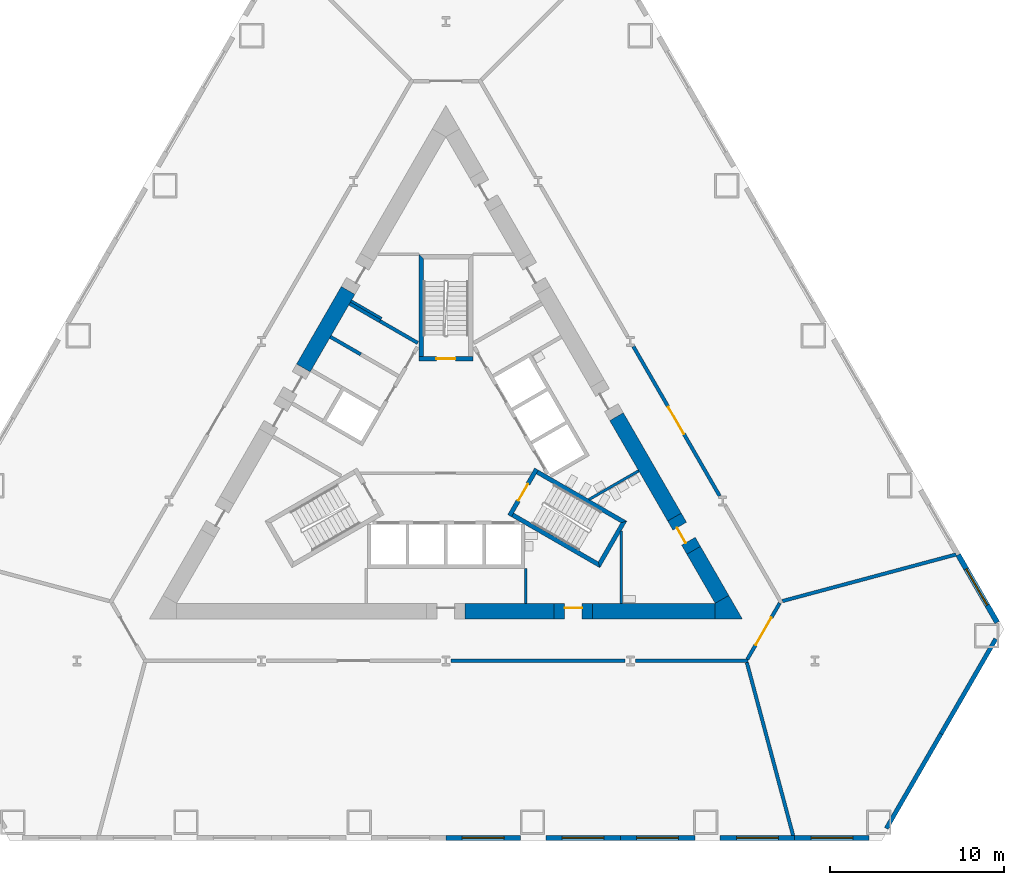
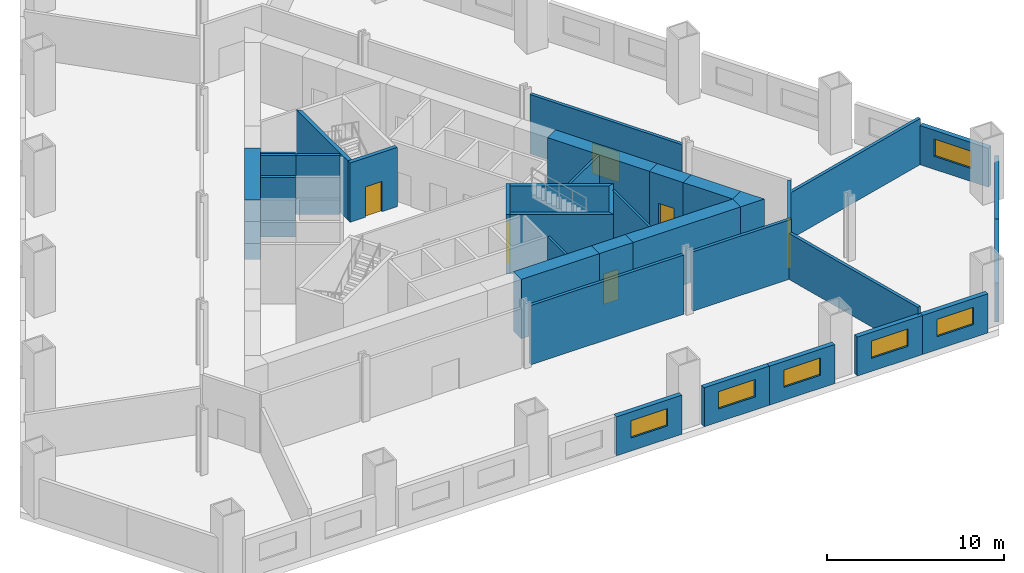
# One storey, part 3 of 8: 35 walls, 6 doors, 6 windows, 12 openings.
"""IFC4 building model written with IfcOpenShell, lengths in metres."""

from ifc_helpers import new_model, si_unit, direction, frame, frame_2d, origin, place, context, subcontext, project, spatial, polyline, rectangle, outline, extrude, material, layer, layer_set, type_object, element, fill, save


model = new_model("IFC4")

# Units and contexts
model_context = context("Model", 3, precision=1e-05, world=origin(), true_north=direction((0.0, 1.0)))
body_context = subcontext(model_context, "Body", "Model", "MODEL_VIEW")
ifc_project = project(units=[si_unit("LENGTHUNIT", "METRE"), si_unit("AREAUNIT", "SQUARE_METRE"), si_unit("VOLUMEUNIT", "CUBIC_METRE"), si_unit("PLANEANGLEUNIT", "RADIAN"), si_unit("MASSUNIT", "GRAM", prefix="KILO")], contexts=[model_context])

# Site, building, storey
site_placement = place(None, origin())
site = spatial("IfcSite", under=ifc_project, at=site_placement, CompositionType="ELEMENT")
building_placement = place(site_placement, origin())
building = spatial("IfcBuilding", under=site, at=building_placement, Name="Cormorant Prow Tower", CompositionType="ELEMENT")
storey_placement = place(building_placement, frame((0.0, 0.0, 25.5)))
storey = spatial("IfcBuildingStorey", under=building, at=storey_placement, Name="L04", CompositionType="ELEMENT", Elevation=25.5)

# Walls
ifc_material_1 = material(Name="Gypsum board partition")
ifc_layer_1 = layer(ifc_material_1, 0.14990234375)
ifc_layer_set_1 = layer_set([ifc_layer_1], Name="Gypsum board partition")
wall_type_1 = type_object("IfcWallType", Name="Core partition 150", PredefinedType="PARTITIONING", material=ifc_layer_set_1)
wall_1_placement = place(storey_placement, frame((4.574951171875, -6.906005859375, 0.0), z_axis=(0.0, 0.0, 1.0), x_axis=(0.0, -1.0, 0.0)))
element("IfcWall", 1, at=wall_1_placement, inside=storey, type_object=wall_type_1, Name="Service room partition", PredefinedType="PARTITIONING", context=body_context, shape_type="SweptSolid", body=[
    extrude(rectangle(XDim=2.009033203125, YDim=0.14990234375, at=frame_2d((1.00439453125, 0.0))), origin(), (0.0, 0.0, 1.0), 4.10009765625),
])
wall_2_placement = place(storey_placement, frame((-3.693359375, 7.4150390625, 0.0), z_axis=(0.0, 0.0, 1.0), x_axis=(-0.866035824272, 0.499981950752, 0.0)))
element("IfcWall", 2, at=wall_2_placement, inside=storey, type_object=wall_type_1, Name="Service room partition", PredefinedType="PARTITIONING", context=body_context, shape_type="SweptSolid", body=[
    extrude(rectangle(XDim=2.0087890625, YDim=0.14990234375, at=frame_2d((1.00439453125, 0.0))), origin(), (0.0, 0.0, 1.0), 4.10009765625),
])
wall_3_placement = place(storey_placement, frame((11.055908203125, -1.319580078125, 0.0), z_axis=(0.0, 0.0, 1.0), x_axis=(-0.866038565219, -0.499977203034, 0.0)))
element("IfcWall", 3, at=wall_3_placement, inside=storey, type_object=wall_type_1, Name="Service room partition", PredefinedType="PARTITIONING", context=body_context, shape_type="SweptSolid", body=[
    extrude(rectangle(XDim=3.290771484375, YDim=0.14990234375, at=frame_2d((1.6455078125, 0.0))), origin(), (0.0, 0.0, 1.0), 4.10009765625),
])
wall_4_placement = place(storey_placement, frame((10.045654296875, -8.9150390625, 0.0), z_axis=(0.0, 0.0, 1.0), x_axis=(0.0, 1.0, 0.0)))
element("IfcWall", 4, at=wall_4_placement, inside=storey, type_object=wall_type_1, Name="Service room partition", PredefinedType="PARTITIONING", context=body_context, shape_type="SweptSolid", body=[
    extrude(rectangle(XDim=4.15087890625, YDim=0.14990234375, at=frame_2d((2.075439453125, 0.0))), origin(), (0.0, 0.0, 1.0), 4.10009765625),
])
ifc_material_2 = material(Name="Concrete 8000 psi", Category="concrete")
ifc_layer_2 = layer(ifc_material_2, 0.89990234375)
ifc_layer_set_2 = layer_set([ifc_layer_2], Name="Concrete 8000 psi")
wall_type_2 = type_object("IfcWallType", Name="Core shear wall 900", PredefinedType="SHEAR", material=ifc_layer_set_2)
wall_5_placement = place(storey_placement, frame((8.410400390625, -9.364990234375, 0.0), z_axis=(0.0, 0.0, 1.0), x_axis=(1.0, 0.0, 0.0)))
element("IfcWall", 5, at=wall_5_placement, inside=storey, type_object=wall_type_2, Name="Core wall", PredefinedType="SHEAR", context=body_context, shape_type="SweptSolid", body=[
    extrude(rectangle(XDim=7.03076171875, YDim=0.89990234375, at=frame_2d((3.515380859375, 0.0))), origin(), (0.0, 0.0, 1.0), 4.10009765625),
])
wall_6_placement = place(storey_placement, frame((1.10009765625, -9.364990234375, 0.0), z_axis=(0.0, 0.0, 1.0), x_axis=(1.0, 0.0, 0.0)))
element("IfcWall", 6, at=wall_6_placement, inside=storey, type_object=wall_type_2, Name="Core wall", PredefinedType="SHEAR", context=body_context, shape_type="SweptSolid", body=[
    extrude(rectangle(XDim=5.110107421875, YDim=0.89990234375, at=frame_2d((2.55517578125, 0.0))), origin(), (0.0, 0.0, 1.0), 4.10009765625),
])
wall_7_placement = place(storey_placement, frame((13.10693359375, -3.97216796875, 0.0), z_axis=(0.0, 0.0, 1.0), x_axis=(-0.49998745675, 0.866032645512, 0.0)))
element("IfcWall", 7, at=wall_7_placement, inside=storey, type_object=wall_type_2, Name="Core wall", PredefinedType="SHEAR", context=body_context, shape_type="SweptSolid", body=[
    extrude(rectangle(XDim=6.645751953125, YDim=0.89990234375, at=frame_2d((3.32275390625, 0.0))), origin(), (0.0, 0.0, 1.0), 4.10009765625),
])
wall_8_placement = place(storey_placement, frame((15.830810546875, -8.68994140625, 0.0), z_axis=(0.0, 0.0, 1.0), x_axis=(-0.499963215419, 0.866046640331, 0.0)))
element("IfcWall", 8, at=wall_8_placement, inside=storey, type_object=wall_type_2, Name="Core wall", PredefinedType="SHEAR", context=body_context, shape_type="SweptSolid", body=[
    extrude(rectangle(XDim=3.247802734375, YDim=0.89990234375, at=frame_2d((1.6240234375, 0.0))), origin(), (0.0, 0.0, 1.0), 4.10009765625),
])
wall_9_placement = place(storey_placement, frame((-5.605712890625, 9.0205078125, 0.0), z_axis=(0.0, 0.0, 1.0), x_axis=(-0.500024603663, -0.866011198387, 0.0)))
element("IfcWall", 9, at=wall_9_placement, inside=storey, type_object=wall_type_2, Name="Core wall", PredefinedType="SHEAR", context=body_context, shape_type="SweptSolid", body=[
    extrude(rectangle(XDim=5.129150390625, YDim=0.89990234375, at=frame_2d((2.564453125, 0.0))), origin(), (0.0, 0.0, 1.0), 4.10009765625),
])
wall_10_placement = place(storey_placement, origin())
element("IfcWall", 10, at=wall_10_placement, inside=storey, type_object=wall_type_2, Name="Core wall corner", PredefinedType="SHEAR", context=body_context, shape_type="SweptSolid", body=[
    extrude(outline(polyline([(15.441162109375, -9.81494140625), (15.441162109375, -8.9150390625), (16.220703125, -8.465087890625), (17.0, -9.81494140625), (15.441162109375, -9.81494140625)])), origin(), (0.0, 0.0, 1.0), 4.10009765625),
])

# Wall, opening, door
wall_11_placement = place(storey_placement, frame((6.210205078125, -9.364990234375, 0.0), z_axis=(0.0, 0.0, 1.0), x_axis=(1.0, 0.0, 0.0)))
wall_11 = element("IfcWall", 11, at=wall_11_placement, inside=storey, type_object=wall_type_2, Name="Core wall door panel", PredefinedType="SHEAR", context=body_context, shape_type="SweptSolid", body=[
    extrude(rectangle(XDim=2.2001953125, YDim=0.89990234375, at=frame_2d((1.10009765625, 0.0))), origin(), (0.0, 0.0, 1.0), 4.10009765625),
])
opening_1_placement = place(wall_11_placement, frame((0.60009765625, 0.0, 0.0)))
opening_1 = element("IfcOpeningElement", 12, at=opening_1_placement, cuts=wall_11, Name="Opening L04-C16", PredefinedType="OPENING", context=body_context, shape_type="SweptSolid", body=[
    extrude(rectangle(XDim=1.0, YDim=2.10009765625, at=frame_2d((0.5, 1.050048828125))), frame((0.0, 0.4599609375, 0.0), z_axis=(0.0, -1.0, 0.0), x_axis=(1.0, 0.0, 0.0)), (0.0, 0.0, 1.0), 0.919921875),
])
ifc_material_3 = material(Name="Painted steel", Category="steel")
door_type_1 = type_object("IfcDoorType", Name="Service door 1000x2100", OperationType="NOTDEFINED", PredefinedType="DOOR", material=ifc_material_3)
door_1_placement = place(opening_1_placement, origin())
door_1 = element("IfcDoor", 13, at=door_1_placement, inside=storey, type_object=door_type_1, Name="Core door, Accessible WC L04", OperationType="SINGLE_SWING_LEFT", OverallHeight=2.10009765625, OverallWidth=1.0, PredefinedType="DOOR", context=body_context, shape_type="SweptSolid", body=[
    extrude(rectangle(XDim=1.0, YDim=2.10009765625, at=frame_2d((0.5, 1.050048828125))), frame((0.0, 0.205078125, 0.0), z_axis=(0.0, -1.0, 0.0), x_axis=(1.0, 0.0, 0.0)), (0.0, 0.0, 1.0), 0.050048828125),
])
fill(opening_1, door_1)

wall_12_placement = place(storey_placement, frame((14.20703125, -5.877197265625, 0.0), z_axis=(0.0, 0.0, 1.0), x_axis=(-0.500077893725, 0.86598042715, 0.0)))
wall_12 = element("IfcWall", 14, at=wall_12_placement, inside=storey, type_object=wall_type_2, Name="Core wall door panel", PredefinedType="SHEAR", context=body_context, shape_type="SweptSolid", body=[
    extrude(rectangle(XDim=2.199951171875, YDim=0.89990234375, at=frame_2d((1.10009765625, 0.0))), origin(), (0.0, 0.0, 1.0), 4.10009765625),
])
opening_2_placement = place(wall_12_placement, frame((0.60009765625, 0.0, 0.0)))
opening_2 = element("IfcOpeningElement", 15, at=opening_2_placement, cuts=wall_12, Name="Opening L04-C17", PredefinedType="OPENING", context=body_context, shape_type="SweptSolid", body=[
    extrude(rectangle(XDim=1.0, YDim=2.10009765625, at=frame_2d((0.5, 1.050048828125))), frame((0.0, 0.4599609375, 0.0), z_axis=(0.0, -1.0, 0.0), x_axis=(1.0, 0.0, 0.0)), (0.0, 0.0, 1.0), 0.919921875),
])
door_2_placement = place(opening_2_placement, origin())
door_2 = element("IfcDoor", 16, at=door_2_placement, inside=storey, type_object=door_type_1, Name="Core door, Toilets (women) L04", OperationType="SINGLE_SWING_LEFT", OverallHeight=2.10009765625, OverallWidth=1.0, PredefinedType="DOOR", context=body_context, shape_type="SweptSolid", body=[
    extrude(rectangle(XDim=1.0, YDim=2.10009765625, at=frame_2d((0.5, 1.050048828125))), frame((0.0, 0.205078125, 0.0), z_axis=(0.0, -1.0, 0.0), x_axis=(1.0, 0.0, 0.0)), (0.0, 0.0, 1.0), 0.050048828125),
])
fill(opening_2, door_2)

# Wall
ifc_material_4 = material(Name="Gypsum board corridor wall")
ifc_layer_3 = layer(ifc_material_4, 0.199951171875)
ifc_layer_set_3 = layer_set([ifc_layer_3], Name="Gypsum board corridor wall")
wall_type_3 = type_object("IfcWallType", Name="Corridor wall 200", PredefinedType="PARTITIONING", material=ifc_layer_set_3)
wall_13_placement = place(storey_placement, frame((0.294921875, -12.215087890625, 0.0), z_axis=(0.0, 0.0, 1.0), x_axis=(1.0, 0.0, 0.0)))
element("IfcWall", 17, at=wall_13_placement, inside=storey, type_object=wall_type_3, Name="Corridor wall", PredefinedType="PARTITIONING", context=body_context, shape_type="SweptSolid", body=[
    extrude(rectangle(XDim=9.98876953125, YDim=0.199951171875, at=frame_2d((4.994384765625, 0.0))), origin(), (0.0, 0.0, 1.0), 4.10009765625),
])

# Wall, opening, door
wall_14_placement = place(storey_placement, frame((10.74853515625, 5.812744140625, 0.0), z_axis=(0.0, 0.0, 1.0), x_axis=(0.500004292778, -0.866022925334, 0.0)))
wall_14 = element("IfcWall", 18, at=wall_14_placement, inside=storey, type_object=wall_type_3, Name="Corridor wall", PredefinedType="PARTITIONING", context=body_context, shape_type="SweptSolid", body=[
    extrude(rectangle(XDim=9.89794921875, YDim=0.199951171875, at=frame_2d((4.948974609375, 0.0))), origin(), (0.0, 0.0, 1.0), 4.10009765625),
])
opening_3_placement = place(wall_14_placement, frame((3.998291015625, 0.0, 0.0)))
opening_3 = element("IfcOpeningElement", 19, at=opening_3_placement, cuts=wall_14, Name="Opening L04-F04", PredefinedType="OPENING", context=body_context, shape_type="SweptSolid", body=[
    extrude(rectangle(XDim=1.800048828125, YDim=2.10009765625, at=frame_2d((0.89990234375, 1.050048828125))), frame((0.0, 0.10986328125, 0.0), z_axis=(0.0, -1.0, 0.0), x_axis=(1.0, 0.0, 0.0)), (0.0, 0.0, 1.0), 0.219970703125),
])
ifc_material_5 = material(Name="Timber door leaf", Category="wood")
door_type_2 = type_object("IfcDoorType", Name="Double door 1800x2100", OperationType="DOUBLE_DOOR_SINGLE_SWING", PredefinedType="DOOR", material=ifc_material_5)
door_3_placement = place(opening_3_placement, origin())
door_3 = element("IfcDoor", 20, at=door_3_placement, inside=storey, type_object=door_type_2, Name="Business club office door", OperationType="DOUBLE_DOOR_SINGLE_SWING", OverallHeight=2.10009765625, OverallWidth=1.800048828125, PredefinedType="DOOR", context=body_context, shape_type="SweptSolid", body=[
    extrude(rectangle(XDim=1.800048828125, YDim=2.10009765625, at=frame_2d((0.89990234375, 1.050048828125))), frame((0.0, 0.02490234375, 0.0), z_axis=(0.0, -1.0, 0.0), x_axis=(1.0, 0.0, 0.0)), (0.0, 0.0, 1.0), 0.050048828125),
])
fill(opening_3, door_3)

# Wall
wall_15_placement = place(storey_placement, frame((10.873291015625, -12.215087890625, 0.0), z_axis=(0.0, 0.0, 1.0), x_axis=(1.0, 0.0, 0.0)))
element("IfcWall", 21, at=wall_15_placement, inside=storey, type_object=wall_type_3, Name="Corridor wall", PredefinedType="PARTITIONING", context=body_context, shape_type="SweptSolid", body=[
    extrude(rectangle(XDim=6.45751953125, YDim=0.199951171875, at=frame_2d((3.228759765625, 0.0))), origin(), (0.0, 0.0, 1.0), 4.10009765625),
])

# Wall, opening, door
wall_16_placement = place(storey_placement, frame((17.281005859375, -12.12841796875, 0.0), z_axis=(0.0, 0.0, 1.0), x_axis=(0.499958791762, 0.866049194065, 0.0)))
wall_16 = element("IfcWall", 22, at=wall_16_placement, inside=storey, type_object=wall_type_3, Name="Corridor wall", PredefinedType="PARTITIONING", context=body_context, shape_type="SweptSolid", body=[
    extrude(rectangle(XDim=3.725830078125, YDim=0.199951171875, at=frame_2d((1.86279296875, 0.0))), origin(), (0.0, 0.0, 1.0), 4.10009765625),
])
opening_4_placement = place(wall_16_placement, frame((0.962890625, 0.0, 0.0)))
opening_4 = element("IfcOpeningElement", 23, at=opening_4_placement, cuts=wall_16, Name="Opening L04-F05", PredefinedType="OPENING", context=body_context, shape_type="SweptSolid", body=[
    extrude(rectangle(XDim=1.800048828125, YDim=2.10009765625, at=frame_2d((0.89990234375, 1.050048828125))), frame((0.0, 0.10986328125, 0.0), z_axis=(0.0, -1.0, 0.0), x_axis=(1.0, 0.0, 0.0)), (0.0, 0.0, 1.0), 0.219970703125),
])
door_4_placement = place(opening_4_placement, origin())
door_4 = element("IfcDoor", 24, at=door_4_placement, inside=storey, type_object=door_type_2, Name="Club restaurant door", OperationType="DOUBLE_DOOR_SINGLE_SWING", OverallHeight=2.10009765625, OverallWidth=1.800048828125, PredefinedType="DOOR", context=body_context, shape_type="SweptSolid", body=[
    extrude(rectangle(XDim=1.800048828125, YDim=2.10009765625, at=frame_2d((0.89990234375, 1.050048828125))), frame((0.0, 0.02490234375, 0.0), z_axis=(0.0, -1.0, 0.0), x_axis=(1.0, 0.0, 0.0)), (0.0, 0.0, 1.0), 0.050048828125),
])
fill(opening_4, door_4)

# Walls
ifc_material_6 = material(Name="Gypsum board demising wall")
ifc_layer_4 = layer(ifc_material_6, 0.199951171875)
ifc_layer_set_4 = layer_set([ifc_layer_4], Name="Gypsum board demising wall")
wall_type_4 = type_object("IfcWallType", Name="Demising wall 200", PredefinedType="PARTITIONING", material=ifc_layer_set_4)
for number, where, z_axis, x_axis, name in (
    (25, (19.29052734375, -8.7890625, 0.0), (0.0, 0.0, 1.0), (0.965818413341, 0.259219583464, 0.0), "Demising wall"),
    (26, (17.256591796875, -12.3115234375, 0.0), (0.0, 0.0, 1.0), (0.258415425443, -0.966033885479, 0.0), "Demising wall"),
):
    element("IfcWall", number, at=place(storey_placement, frame(where, z_axis=z_axis, x_axis=x_axis)), inside=storey, type_object=wall_type_4, Name=name, PredefinedType="PARTITIONING", context=body_context, shape_type="SweptSolid", body=[
        extrude(rectangle(XDim=10.31396484375, YDim=0.199951171875, at=frame_2d((5.156982421875, 0.0))), origin(), (0.0, 0.0, 1.0), 3.185302734375),
    ])
ifc_material_7 = material(Name="Concrete 8000 psi", Category="concrete")
ifc_layer_5 = layer(ifc_material_7, 0.199951171875)
ifc_layer_set_5 = layer_set([ifc_layer_5], Name="Concrete 8000 psi")
wall_type_5 = type_object("IfcWallType", Name="Lift shaft wall 200", PredefinedType="SHEAR", material=ifc_layer_set_5)
wall_17_placement = place(storey_placement, origin())
element("IfcWall", 27, at=wall_17_placement, inside=storey, type_object=wall_type_5, Name="Lift shaft walls, WNW block", PredefinedType="SHEAR", context=body_context, shape_type="SweptSolid", body=[
    extrude(outline(polyline([(-3.730712890625, 7.35009765625), (-1.560546875, 6.09716796875), (-1.660400390625, 5.923828125), (-3.830810546875, 7.177001953125), (-3.730712890625, 7.35009765625)])), origin(), (0.0, 0.0, 1.0), 4.10009765625),
])
wall_18_placement = place(storey_placement, frame((-3.78076171875, 7.263427734375, 0.0), z_axis=(0.0, 0.0, 1.0), x_axis=(-0.865983199114, 0.50007309351, 0.0)))
element("IfcWall", 28, at=wall_18_placement, inside=storey, type_object=wall_type_5, Name="Store side wall", PredefinedType="SHEAR", context=body_context, shape_type="SweptSolid", body=[
    extrude(rectangle(XDim=2.009033203125, YDim=0.199951171875, at=frame_2d((1.00439453125, 0.0))), origin(), (0.0, 0.0, 1.0), 4.10009765625),
])
wall_19_placement = place(storey_placement, frame((-4.880859375, 5.3583984375, 0.0), z_axis=(0.0, 0.0, 1.0), x_axis=(-0.866035824272, 0.499981950752, 0.0)))
element("IfcWall", 29, at=wall_19_placement, inside=storey, type_object=wall_type_5, Name="Store side wall", PredefinedType="SHEAR", context=body_context, shape_type="SweptSolid", body=[
    extrude(rectangle(XDim=2.0087890625, YDim=0.199951171875, at=frame_2d((1.00439453125, 0.0))), origin(), (0.0, 0.0, 1.0), 4.10009765625),
])
ifc_material_8 = material(Name="Concrete 8000 psi", Category="concrete")
ifc_layer_6 = layer(ifc_material_8, 0.25)
ifc_layer_set_6 = layer_set([ifc_layer_6], Name="Concrete 8000 psi")
wall_type_6 = type_object("IfcWallType", Name="Stair wall 250", PredefinedType="SHEAR", material=ifc_layer_set_6)
wall_20_placement = place(storey_placement, origin())
element("IfcWall", 30, at=wall_20_placement, inside=storey, type_object=wall_type_6, Name="Stair ST2 enclosure wall (flank)", PredefinedType="SHEAR", context=body_context, shape_type="SweptSolid", body=[
    extrude(outline(polyline([(3.76318359375, -3.95556640625), (8.82958984375, -6.880615234375), (8.738037109375, -6.5390625), (3.88818359375, -3.739013671875), (3.76318359375, -3.95556640625)])), origin(), (0.0, 0.0, 1.0), 4.10009765625),
])
wall_21_placement = place(storey_placement, origin())
element("IfcWall", 31, at=wall_21_placement, inside=storey, type_object=wall_type_6, Name="Stair ST2 enclosure wall (end)", PredefinedType="SHEAR", context=body_context, shape_type="SweptSolid", body=[
    extrude(outline(polyline([(8.82958984375, -6.880615234375), (10.37353515625, -4.206298828125), (10.031982421875, -4.2978515625), (8.738037109375, -6.5390625), (8.82958984375, -6.880615234375)])), origin(), (0.0, 0.0, 1.0), 4.10009765625),
])
wall_22_placement = place(storey_placement, origin())
element("IfcWall", 32, at=wall_22_placement, inside=storey, type_object=wall_type_6, Name="Stair ST2 enclosure wall (flank)", PredefinedType="SHEAR", context=body_context, shape_type="SweptSolid", body=[
    extrude(outline(polyline([(10.031982421875, -4.2978515625), (10.37353515625, -4.206298828125), (5.30712890625, -1.28125), (5.18212890625, -1.497802734375), (10.031982421875, -4.2978515625)])), origin(), (0.0, 0.0, 1.0), 4.10009765625),
])

# Wall, opening, door
wall_23_placement = place(storey_placement, frame((3.655029296875, -3.89306640625, 0.0), z_axis=(0.0, 0.0, 1.0), x_axis=(0.499982516597, 0.866035497597, 0.0)))
wall_23 = element("IfcWall", 33, at=wall_23_placement, inside=storey, type_object=wall_type_6, Name="Stair ST2 door wall", PredefinedType="SHEAR", context=body_context, shape_type="SweptSolid", body=[
    extrude(rectangle(XDim=3.087890625, YDim=0.25, at=frame_2d((1.5439453125, 0.0))), origin(), (0.0, 0.0, 1.0), 4.10009765625),
])
opening_5_placement = place(wall_23_placement, frame((0.993896484375, 0.0, 0.0)))
opening_5 = element("IfcOpeningElement", 34, at=opening_5_placement, cuts=wall_23, Name="Opening L04-C13", PredefinedType="OPENING", context=body_context, shape_type="SweptSolid", body=[
    extrude(rectangle(XDim=1.10009765625, YDim=2.10009765625, at=frame_2d((0.550048828125, 1.050048828125))), frame((0.0, 0.135009765625, 0.0), z_axis=(0.0, -1.0, 0.0), x_axis=(1.0, 0.0, 0.0)), (0.0, 0.0, 1.0), 0.27001953125),
])
ifc_material_9 = material(Name="Painted steel", Category="steel")
door_type_3 = type_object("IfcDoorType", Name="Stair door 1100x2100", OperationType="NOTDEFINED", PredefinedType="DOOR", material=ifc_material_9)
door_5_placement = place(opening_5_placement, origin())
door_5 = element("IfcDoor", 35, at=door_5_placement, inside=storey, type_object=door_type_3, Name="Stair ST2 door", OperationType="SINGLE_SWING_RIGHT", OverallHeight=2.10009765625, OverallWidth=1.10009765625, PredefinedType="DOOR", context=body_context, shape_type="SweptSolid", body=[
    extrude(rectangle(XDim=1.10009765625, YDim=2.10009765625, at=frame_2d((0.550048828125, 1.050048828125))), frame((0.0, 0.02490234375, 0.0), z_axis=(0.0, -1.0, 0.0), x_axis=(1.0, 0.0, 0.0)), (0.0, 0.0, 1.0), 0.050048828125),
])
fill(opening_5, door_5)

# Wall
wall_24_placement = place(storey_placement, origin())
element("IfcWall", 36, at=wall_24_placement, inside=storey, type_object=wall_type_6, Name="Stair ST3 enclosure wall (flank)", PredefinedType="SHEAR", context=body_context, shape_type="SweptSolid", body=[
    extrude(outline(polyline([(-1.2939453125, 10.8369140625), (-1.5439453125, 11.0869140625), (-1.5439453125, 5.23681640625), (-1.2939453125, 5.23681640625), (-1.2939453125, 10.8369140625)])), origin(), (0.0, 0.0, 1.0), 4.10009765625),
])

# Wall, opening, door
wall_25_placement = place(storey_placement, frame((1.5439453125, 5.11181640625, 0.0), z_axis=(0.0, 0.0, 1.0), x_axis=(-1.0, 0.0, 0.0)))
wall_25 = element("IfcWall", 37, at=wall_25_placement, inside=storey, type_object=wall_type_6, Name="Stair ST3 door wall", PredefinedType="SHEAR", context=body_context, shape_type="SweptSolid", body=[
    extrude(rectangle(XDim=3.087890625, YDim=0.25, at=frame_2d((1.5439453125, 0.0))), origin(), (0.0, 0.0, 1.0), 4.10009765625),
])
opening_6_placement = place(wall_25_placement, frame((0.993896484375, 0.0, 0.0)))
opening_6 = element("IfcOpeningElement", 38, at=opening_6_placement, cuts=wall_25, Name="Opening L04-C14", PredefinedType="OPENING", context=body_context, shape_type="SweptSolid", body=[
    extrude(rectangle(XDim=1.10009765625, YDim=2.10009765625, at=frame_2d((0.550048828125, 1.050048828125))), frame((0.0, 0.135009765625, 0.0), z_axis=(0.0, -1.0, 0.0), x_axis=(1.0, 0.0, 0.0)), (0.0, 0.0, 1.0), 0.27001953125),
])
door_6_placement = place(opening_6_placement, origin())
door_6 = element("IfcDoor", 39, at=door_6_placement, inside=storey, type_object=door_type_3, Name="Stair ST3 door", OperationType="SINGLE_SWING_LEFT", OverallHeight=2.10009765625, OverallWidth=1.10009765625, PredefinedType="DOOR", context=body_context, shape_type="SweptSolid", body=[
    extrude(rectangle(XDim=1.10009765625, YDim=2.10009765625, at=frame_2d((0.550048828125, 1.050048828125))), frame((0.0, 0.02490234375, 0.0), z_axis=(0.0, -1.0, 0.0), x_axis=(1.0, 0.0, 0.0)), (0.0, 0.0, 1.0), 0.050048828125),
])
fill(opening_6, door_6)

# Walls
ifc_material_10 = material(Name="Terracotta", Category="masonry")
ifc_layer_7 = layer(ifc_material_10, 0.25)
ifc_layer_set_7 = layer_set([ifc_layer_7], Name="Terracotta")
wall_type_7 = type_object("IfcWallType", Name="Terracotta bay wall 250", PredefinedType="SOLIDWALL", material=ifc_layer_set_7)
wall_26_placement = place(storey_placement, frame((25.2568359375, -21.822021484375, 0.0), z_axis=(0.0, 0.0, 1.0), x_axis=(0.5000044583, 0.866022829768, 0.0)))
element("IfcWall", 40, at=wall_26_placement, inside=storey, type_object=wall_type_7, Name="Terracotta bay wall ESE00", PredefinedType="SOLIDWALL", context=body_context, shape_type="SweptSolid", body=[
    extrude(rectangle(XDim=6.27001953125, YDim=0.25, at=frame_2d((3.135009765625, 0.0))), origin(), (0.0, 0.0, 1.0), 2.699951171875),
])
wall_27_placement = place(storey_placement, frame((28.391845703125, -16.39208984375, 0.0), z_axis=(0.0, 0.0, 1.0), x_axis=(0.499987597971, 0.866032563981, 0.0)))
element("IfcWall", 41, at=wall_27_placement, inside=storey, type_object=wall_type_7, Name="Terracotta bay wall ESE01", PredefinedType="SOLIDWALL", context=body_context, shape_type="SweptSolid", body=[
    extrude(rectangle(XDim=6.270263671875, YDim=0.25, at=frame_2d((3.13525390625, 0.0))), origin(), (0.0, 0.0, 1.0), 2.699951171875),
])

# Wall, opening, window
ifc_material_11 = material(Name="Terracotta", Category="masonry")
ifc_layer_8 = layer(ifc_material_11, 0.300048828125)
ifc_layer_set_8 = layer_set([ifc_layer_8], Name="Terracotta")
wall_type_8 = type_object("IfcWallType", Name="Terracotta podium cladding wall 300", PredefinedType="SOLIDWALL", material=ifc_layer_set_8)
wall_28_placement = place(storey_placement, frame((0.0, -22.36669921875, 0.0), z_axis=(0.0, 0.0, 1.0), x_axis=(1.0, 0.0, 0.0)))
wall_28 = element("IfcWall", 42, at=wall_28_placement, inside=storey, type_object=wall_type_8, Name="Terracotta podium wall S05", PredefinedType="SOLIDWALL", context=body_context, shape_type="SweptSolid", body=[
    extrude(rectangle(XDim=4.27001953125, YDim=0.300048828125, at=frame_2d((2.135009765625, 0.0))), origin(), (0.0, 0.0, 1.0), 2.699951171875),
])
opening_7_placement = place(wall_28_placement, frame((0.93505859375, 0.0, 0.89990234375)))
opening_7 = element("IfcOpeningElement", 43, at=opening_7_placement, cuts=wall_28, Name="Opening WN23", PredefinedType="OPENING", context=body_context, shape_type="SweptSolid", body=[
    extrude(rectangle(XDim=2.39990234375, YDim=1.199951171875, at=frame_2d((1.199951171875, 0.60009765625))), frame((0.0, 0.159912109375, 0.0), z_axis=(0.0, -1.0, 0.0), x_axis=(1.0, 0.0, 0.0)), (0.0, 0.0, 1.0), 0.320068359375),
])
ifc_material_12 = material(Name="Aluminium 6063-T6", Category="aluminium")
window_type = type_object("IfcWindowType", Name="Podium window 2400x1200", PartitioningType="SINGLE_PANEL", PredefinedType="WINDOW", material=ifc_material_12)
window_1_placement = place(opening_7_placement, origin())
window_1 = element("IfcWindow", 44, at=window_1_placement, inside=storey, type_object=window_type, Name="Podium window S05", OverallHeight=1.199951171875, OverallWidth=2.39990234375, PartitioningType="SINGLE_PANEL", PredefinedType="WINDOW", context=body_context, shape_type="SweptSolid", body=[
    extrude(rectangle(XDim=2.39990234375, YDim=1.199951171875, at=frame_2d((1.199951171875, 0.60009765625))), frame((0.0, 0.030029296875, 0.0), z_axis=(0.0, -1.0, 0.0), x_axis=(1.0, 0.0, 0.0)), (0.0, 0.0, 1.0), 0.06005859375),
])
fill(opening_7, window_1)

wall_29_placement = place(storey_placement, frame((5.72998046875, -22.36669921875, 0.0), z_axis=(0.0, 0.0, 1.0), x_axis=(1.0, 0.0, 0.0)))
wall_29 = element("IfcWall", 45, at=wall_29_placement, inside=storey, type_object=wall_type_8, Name="Terracotta podium wall S06", PredefinedType="SOLIDWALL", context=body_context, shape_type="SweptSolid", body=[
    extrude(rectangle(XDim=4.27001953125, YDim=0.300048828125, at=frame_2d((2.135009765625, 0.0))), origin(), (0.0, 0.0, 1.0), 2.699951171875),
])
opening_8_placement = place(wall_29_placement, frame((0.93505859375, 0.0, 0.89990234375)))
opening_8 = element("IfcOpeningElement", 46, at=opening_8_placement, cuts=wall_29, Name="Opening WN23", PredefinedType="OPENING", context=body_context, shape_type="SweptSolid", body=[
    extrude(rectangle(XDim=2.39990234375, YDim=1.199951171875, at=frame_2d((1.199951171875, 0.60009765625))), frame((0.0, 0.159912109375, 0.0), z_axis=(0.0, -1.0, 0.0), x_axis=(1.0, 0.0, 0.0)), (0.0, 0.0, 1.0), 0.320068359375),
])
window_2_placement = place(opening_8_placement, origin())
window_2 = element("IfcWindow", 47, at=window_2_placement, inside=storey, type_object=window_type, Name="Podium window S06", OverallHeight=1.199951171875, OverallWidth=2.39990234375, PartitioningType="SINGLE_PANEL", PredefinedType="WINDOW", context=body_context, shape_type="SweptSolid", body=[
    extrude(rectangle(XDim=2.39990234375, YDim=1.199951171875, at=frame_2d((1.199951171875, 0.60009765625))), frame((0.0, 0.030029296875, 0.0), z_axis=(0.0, -1.0, 0.0), x_axis=(1.0, 0.0, 0.0)), (0.0, 0.0, 1.0), 0.06005859375),
])
fill(opening_8, window_2)

wall_30_placement = place(storey_placement, frame((10.0, -22.36669921875, 0.0), z_axis=(0.0, 0.0, 1.0), x_axis=(1.0, 0.0, 0.0)))
wall_30 = element("IfcWall", 48, at=wall_30_placement, inside=storey, type_object=wall_type_8, Name="Terracotta podium wall S07", PredefinedType="SOLIDWALL", context=body_context, shape_type="SweptSolid", body=[
    extrude(rectangle(XDim=4.27001953125, YDim=0.300048828125, at=frame_2d((2.135009765625, 0.0))), origin(), (0.0, 0.0, 1.0), 2.699951171875),
])
opening_9_placement = place(wall_30_placement, frame((0.93505859375, 0.0, 0.89990234375)))
opening_9 = element("IfcOpeningElement", 49, at=opening_9_placement, cuts=wall_30, Name="Opening WN23", PredefinedType="OPENING", context=body_context, shape_type="SweptSolid", body=[
    extrude(rectangle(XDim=2.39990234375, YDim=1.199951171875, at=frame_2d((1.199951171875, 0.60009765625))), frame((0.0, 0.159912109375, 0.0), z_axis=(0.0, -1.0, 0.0), x_axis=(1.0, 0.0, 0.0)), (0.0, 0.0, 1.0), 0.320068359375),
])
window_3_placement = place(opening_9_placement, origin())
window_3 = element("IfcWindow", 50, at=window_3_placement, inside=storey, type_object=window_type, Name="Podium window S07", OverallHeight=1.199951171875, OverallWidth=2.39990234375, PartitioningType="SINGLE_PANEL", PredefinedType="WINDOW", context=body_context, shape_type="SweptSolid", body=[
    extrude(rectangle(XDim=2.39990234375, YDim=1.199951171875, at=frame_2d((1.199951171875, 0.60009765625))), frame((0.0, 0.030029296875, 0.0), z_axis=(0.0, -1.0, 0.0), x_axis=(1.0, 0.0, 0.0)), (0.0, 0.0, 1.0), 0.06005859375),
])
fill(opening_9, window_3)

wall_31_placement = place(storey_placement, frame((15.72998046875, -22.36669921875, 0.0), z_axis=(0.0, 0.0, 1.0), x_axis=(1.0, 0.0, 0.0)))
wall_31 = element("IfcWall", 51, at=wall_31_placement, inside=storey, type_object=wall_type_8, Name="Terracotta podium wall S08", PredefinedType="SOLIDWALL", context=body_context, shape_type="SweptSolid", body=[
    extrude(rectangle(XDim=4.27001953125, YDim=0.300048828125, at=frame_2d((2.135009765625, 0.0))), origin(), (0.0, 0.0, 1.0), 2.699951171875),
])
opening_10_placement = place(wall_31_placement, frame((0.93505859375, 0.0, 0.89990234375)))
opening_10 = element("IfcOpeningElement", 52, at=opening_10_placement, cuts=wall_31, Name="Opening WN23", PredefinedType="OPENING", context=body_context, shape_type="SweptSolid", body=[
    extrude(rectangle(XDim=2.39990234375, YDim=1.199951171875, at=frame_2d((1.199951171875, 0.60009765625))), frame((0.0, 0.159912109375, 0.0), z_axis=(0.0, -1.0, 0.0), x_axis=(1.0, 0.0, 0.0)), (0.0, 0.0, 1.0), 0.320068359375),
])
window_4_placement = place(opening_10_placement, origin())
window_4 = element("IfcWindow", 53, at=window_4_placement, inside=storey, type_object=window_type, Name="Podium window S08", OverallHeight=1.199951171875, OverallWidth=2.39990234375, PartitioningType="SINGLE_PANEL", PredefinedType="WINDOW", context=body_context, shape_type="SweptSolid", body=[
    extrude(rectangle(XDim=2.39990234375, YDim=1.199951171875, at=frame_2d((1.199951171875, 0.60009765625))), frame((0.0, 0.030029296875, 0.0), z_axis=(0.0, -1.0, 0.0), x_axis=(1.0, 0.0, 0.0)), (0.0, 0.0, 1.0), 0.06005859375),
])
fill(opening_10, window_4)

wall_32_placement = place(storey_placement, frame((20.0, -22.36669921875, 0.0), z_axis=(0.0, 0.0, 1.0), x_axis=(1.0, 0.0, 0.0)))
wall_32 = element("IfcWall", 54, at=wall_32_placement, inside=storey, type_object=wall_type_8, Name="Terracotta podium wall S09", PredefinedType="SOLIDWALL", context=body_context, shape_type="SweptSolid", body=[
    extrude(rectangle(XDim=4.27001953125, YDim=0.300048828125, at=frame_2d((2.135009765625, 0.0))), origin(), (0.0, 0.0, 1.0), 2.699951171875),
])
opening_11_placement = place(wall_32_placement, frame((0.93505859375, 0.0, 0.89990234375)))
opening_11 = element("IfcOpeningElement", 55, at=opening_11_placement, cuts=wall_32, Name="Opening WN23", PredefinedType="OPENING", context=body_context, shape_type="SweptSolid", body=[
    extrude(rectangle(XDim=2.39990234375, YDim=1.199951171875, at=frame_2d((1.199951171875, 0.60009765625))), frame((0.0, 0.159912109375, 0.0), z_axis=(0.0, -1.0, 0.0), x_axis=(1.0, 0.0, 0.0)), (0.0, 0.0, 1.0), 0.320068359375),
])
window_5_placement = place(opening_11_placement, origin())
window_5 = element("IfcWindow", 56, at=window_5_placement, inside=storey, type_object=window_type, Name="Podium window S09", OverallHeight=1.199951171875, OverallWidth=2.39990234375, PartitioningType="SINGLE_PANEL", PredefinedType="WINDOW", context=body_context, shape_type="SweptSolid", body=[
    extrude(rectangle(XDim=2.39990234375, YDim=1.199951171875, at=frame_2d((1.199951171875, 0.60009765625))), frame((0.0, 0.030029296875, 0.0), z_axis=(0.0, -1.0, 0.0), x_axis=(1.0, 0.0, 0.0)), (0.0, 0.0, 1.0), 0.06005859375),
])
fill(opening_11, window_5)

wall_33_placement = place(storey_placement, frame((31.608154296875, -10.013671875, 0.0), z_axis=(0.0, 0.0, 1.0), x_axis=(-0.49999314502, 0.866029361473, 0.0)))
wall_33 = element("IfcWall", 57, at=wall_33_placement, inside=storey, type_object=wall_type_8, Name="Terracotta podium wall ENE00", PredefinedType="SOLIDWALL", context=body_context, shape_type="SweptSolid", body=[
    extrude(rectangle(XDim=4.47607421875, YDim=0.300048828125, at=frame_2d((2.238037109375, 0.0))), origin(), (0.0, 0.0, 1.0), 2.699951171875),
])
opening_12_placement = place(wall_33_placement, frame((1.141357421875, 0.0, 0.89990234375)))
opening_12 = element("IfcOpeningElement", 58, at=opening_12_placement, cuts=wall_33, Name="Opening WN23", PredefinedType="OPENING", context=body_context, shape_type="SweptSolid", body=[
    extrude(rectangle(XDim=2.39990234375, YDim=1.199951171875, at=frame_2d((1.199951171875, 0.60009765625))), frame((0.0, 0.159912109375, 0.0), z_axis=(0.0, -1.0, 0.0), x_axis=(1.0, 0.0, 0.0)), (0.0, 0.0, 1.0), 0.320068359375),
])
window_6_placement = place(opening_12_placement, origin())
window_6 = element("IfcWindow", 59, at=window_6_placement, inside=storey, type_object=window_type, Name="Podium window ENE00", OverallHeight=1.199951171875, OverallWidth=2.39990234375, PartitioningType="SINGLE_PANEL", PredefinedType="WINDOW", context=body_context, shape_type="SweptSolid", body=[
    extrude(rectangle(XDim=2.39990234375, YDim=1.199951171875, at=frame_2d((1.199951171875, 0.60009765625))), frame((0.0, 0.030029296875, 0.0), z_axis=(0.0, -1.0, 0.0), x_axis=(1.0, 0.0, 0.0)), (0.0, 0.0, 1.0), 0.06005859375),
])
fill(opening_12, window_6)

save(model, "model.ifc")
